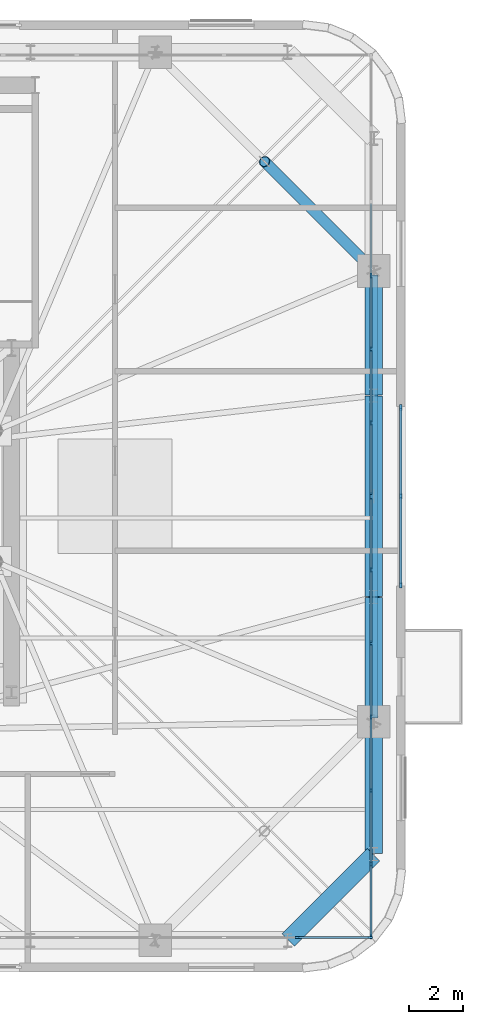
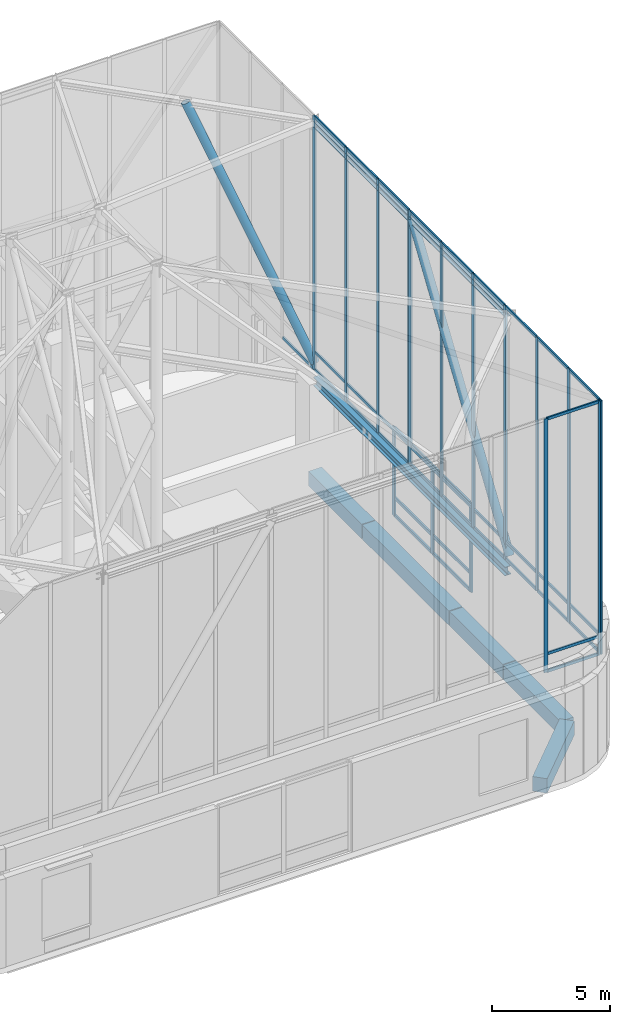
# One storey, part 6 of 15: 55 members, 7 beams, 4 elements without a shape of their own.
"""IFC4 building model written with IfcOpenShell, lengths in metres."""

import ifcopenshell
import ifcopenshell.guid

model = None  # the IFC model being written
_history = None  # IfcOwnerHistory: only IFC2X3 demands one
_inside = {}  # id of a spatial element -> (the spatial element, [elements in it])
_under = {}  # id of a project, library or spatial element -> (it, [spatial elements below it])
_declared = {}  # id of a project -> (the project, [libraries it declares])
_typed = {}  # id of a type object -> (the type object, [elements of that type])
_made_of = {}  # id of a material, layer set ... -> (it, [elements and type objects made of it])


def new_model(schema):
    """Start an empty IFC model of exactly this schema.

    Asked for "IFC4X3", IfcOpenShell would pick the latest addendum, in which some entities
    have other attributes; the version numbers below select the first issue.
    IFC2X3 requires an IfcOwnerHistory on every rooted entity: one is made here for all.
    """
    global model, _history
    if schema == "IFC4X3":
        model = ifcopenshell.file(schema_version=(4, 3, 0, 0))
    else:
        model = ifcopenshell.file(schema=schema)
    _inside.clear()
    _under.clear()
    _declared.clear()
    _typed.clear()
    _made_of.clear()
    _history = None
    if model.schema == "IFC2X3":
        org = make("IfcOrganization", Name="unknown")
        user = make(
            "IfcPersonAndOrganization",
            ThePerson=make("IfcPerson", FamilyName="unknown"),
            TheOrganization=org,
        )
        app = make(
            "IfcApplication",
            ApplicationDeveloper=org,
            Version="unknown",
            ApplicationFullName="unknown",
            ApplicationIdentifier="unknown",
        )
        _history = make(
            "IfcOwnerHistory",
            OwningUser=user,
            OwningApplication=app,
            ChangeAction="ADDED",
            CreationDate=0,
        )
    return model


def make(cls, **values):
    """One entity of the class cls with the attributes given. An attribute that is None is left unset."""
    return model.create_entity(
        cls, **{name: value for name, value in values.items() if value is not None}
    )


def rooted(cls, **values):
    """An entity with a GlobalId (a new one), such as an element, a storey or a relation."""
    return make(cls, GlobalId=ifcopenshell.guid.new(), OwnerHistory=_history, **values)


def si_unit(unit_type, name, prefix=None):
    """IfcSIUnit, for example si_unit("LENGTHUNIT", "METRE", prefix="MILLI")."""
    return make("IfcSIUnit", UnitType=unit_type, Prefix=prefix, Name=name)


def assignment(units):
    """IfcUnitAssignment: the units of a project."""
    return None if units is None else make("IfcUnitAssignment", Units=units)


def point(xyz):
    """IfcCartesianPoint."""
    return None if xyz is None else make("IfcCartesianPoint", Coordinates=xyz)


def direction(xyz):
    """IfcDirection."""
    return None if xyz is None else make("IfcDirection", DirectionRatios=xyz)


def frame(location, z_axis=None, x_axis=None):
    """IfcAxis2Placement3D, a coordinate frame: its origin and axes. An axis left out is left unset."""
    return make(
        "IfcAxis2Placement3D",
        Location=point(location),
        Axis=direction(z_axis),
        RefDirection=direction(x_axis),
    )


def frame_2d(location, x_axis=None):
    """IfcAxis2Placement2D, a coordinate frame in the plane: its origin and x axis."""
    return make(
        "IfcAxis2Placement2D", Location=point(location), RefDirection=direction(x_axis)
    )


def origin():
    """The frame at (0, 0, 0) with its axes left unset."""
    return frame((0.0, 0.0, 0.0))


def origin_2d():
    """The frame at (0, 0) in the plane with its x axis left unset."""
    return frame_2d((0.0, 0.0))


def place(relative_to, where):
    """IfcLocalPlacement: puts the frame where relative to a parent placement (None: the world)."""
    return make(
        "IfcLocalPlacement", PlacementRelTo=relative_to, RelativePlacement=where
    )


def context(
    kind, dimensions, precision=None, world=None, true_north=None, identifier=None
):
    """IfcGeometricRepresentationContext, for example the 3D "Model" context."""
    return make(
        "IfcGeometricRepresentationContext",
        ContextIdentifier=identifier,
        ContextType=kind,
        CoordinateSpaceDimension=dimensions,
        Precision=precision,
        WorldCoordinateSystem=world,
        TrueNorth=true_north,
    )


def subcontext(parent, identifier, kind, view, scale=None):
    """IfcGeometricRepresentationSubContext, for example "Body" below "Model"."""
    return make(
        "IfcGeometricRepresentationSubContext",
        ContextIdentifier=identifier,
        ContextType=kind,
        ParentContext=parent,
        TargetScale=scale,
        TargetView=view,
    )


def project(units=None, contexts=None):
    """IfcProject with its units and contexts."""
    return rooted(
        "IfcProject",
        Name="project",
        RepresentationContexts=contexts,
        UnitsInContext=assignment(units),
    )


def spatial(cls, under=None, at=None, **own):
    """A site, building, storey or space (cls), placed at a placement, below another one or the project."""
    s = rooted(cls, ObjectPlacement=at, **own)
    if under is not None:
        _under.setdefault(under.id(), (under, []))[1].append(s)
    return s


def profile(cls, at=None, kind="AREA", **sizes):
    """A parametric profile (cls). Its sizes go by their IFC names, for example OverallWidth=200.0."""
    return make(cls, ProfileType=kind, Position=at, **sizes)


def rectangle(**sizes):
    """IfcRectangleProfileDef."""
    return profile("IfcRectangleProfileDef", **sizes)


def hollow_circle(**sizes):
    """IfcCircleHollowProfileDef."""
    return profile("IfcCircleHollowProfileDef", **sizes)


def i_section(**sizes):
    """IfcIShapeProfileDef."""
    return profile("IfcIShapeProfileDef", **sizes)


def extrude(swept, where, along, depth):
    """IfcExtrudedAreaSolid: the profile swept, set in the frame where, extruded along a direction by depth."""
    return make(
        "IfcExtrudedAreaSolid",
        SweptArea=swept,
        Position=where,
        ExtrudedDirection=direction(along),
        Depth=depth,
    )


def shape(context_of_items, identifier, shape_type, items):
    """IfcShapeRepresentation: the items that make up one representation, for example the "Body"."""
    return make(
        "IfcShapeRepresentation",
        ContextOfItems=context_of_items,
        RepresentationIdentifier=identifier,
        RepresentationType=shape_type,
        Items=items,
    )


def source(mapping_origin, context_of_items, identifier, shape_type, items):
    """IfcRepresentationMap: a shape defined once, which mapped items show again and again."""
    return make(
        "IfcRepresentationMap",
        MappingOrigin=mapping_origin,
        MappedRepresentation=shape(context_of_items, identifier, shape_type, items),
    )


def transform(
    local_origin,
    x_axis=None,
    y_axis=None,
    z_axis=None,
    scale=None,
    scale2=None,
    scale3=None,
    uniform=True,
):
    """IfcCartesianTransformationOperator3D, or its non-uniform kind. x_axis, y_axis, z_axis: its Axis1, 2, 3."""
    if uniform:
        return make(
            "IfcCartesianTransformationOperator3D",
            Axis1=direction(x_axis),
            Axis2=direction(y_axis),
            LocalOrigin=point(local_origin),
            Scale=scale,
            Axis3=direction(z_axis),
        )
    return make(
        "IfcCartesianTransformationOperator3DnonUniform",
        Axis1=direction(x_axis),
        Axis2=direction(y_axis),
        LocalOrigin=point(local_origin),
        Scale=scale,
        Axis3=direction(z_axis),
        Scale2=scale2,
        Scale3=scale3,
    )


def mapped(mapping_source, mapping_target):
    """IfcMappedItem: shows the shape of a source again, moved by a transform."""
    return make(
        "IfcMappedItem", MappingSource=mapping_source, MappingTarget=mapping_target
    )


def material(Name=None, Category=None):
    """IfcMaterial."""
    return make("IfcMaterial", Name=Name, Category=Category)


def material_profile(
    of_material, cross_section, Name=None, Category=None, Priority=None
):
    """IfcMaterialProfile: a cross section and its material."""
    return make(
        "IfcMaterialProfile",
        Name=Name,
        Material=of_material,
        Profile=cross_section,
        Priority=Priority,
        Category=Category,
    )


def profile_set(profiles, Name=None, composite=None):
    """IfcMaterialProfileSet."""
    return make(
        "IfcMaterialProfileSet",
        Name=Name,
        MaterialProfiles=profiles,
        CompositeProfile=composite,
    )


def made_of(thing, what):
    """Note that an element or type object is made of a material, layer set ...; save() writes the relation."""
    if what is not None:
        _made_of.setdefault(what.id(), (what, []))[1].append(thing)
    return thing


def type_object(cls, material=None, **own):
    """A type object (cls), such as IfcWallType, which elements share."""
    return made_of(rooted(cls, **own), material)


def element(
    cls,
    number,
    at=None,
    inside=None,
    cuts=None,
    type_object=None,
    material=None,
    context=None,
    identifier="Body",
    shape_type=None,
    held_by="IfcProductDefinitionShape",
    body=None,
    shapes=None,
    **own,
):
    """One element of the class cls, such as IfcWall. Its Tag is "e" and its number.

    at: its placement. inside: the storey or other place that contains it. cuts: it is an
    opening in that element (IfcRelVoidsElement). A single representation is given by context,
    identifier, shape_type and body (its items); several are given by shapes. held_by: the class
    of the entity that holds the representations. save() writes the other relations.
    """
    e = rooted(cls, Tag="e%d" % number, ObjectPlacement=at, **own)
    if body is not None:
        shapes = [shape(context, identifier, shape_type, body)]
    if shapes is not None:
        e.Representation = make(held_by, Representations=shapes)
    if inside is not None:
        _inside.setdefault(inside.id(), (inside, []))[1].append(e)
    if cuts is not None:
        rooted(
            "IfcRelVoidsElement", RelatingBuildingElement=cuts, RelatedOpeningElement=e
        )
    if type_object is not None:
        _typed.setdefault(type_object.id(), (type_object, []))[1].append(e)
    return made_of(e, material)


def aggregate(whole, parts):
    """IfcRelAggregates: a whole, such as a stair, and the parts it consists of."""
    return rooted("IfcRelAggregates", RelatingObject=whole, RelatedObjects=parts)


def save(model, path):
    """Write the relations noted so far, then the file.

    IfcRelAggregates (storeys below a building ...), IfcRelContainedInSpatialStructure (elements
    in a storey), IfcRelDefinesByType, IfcRelAssociatesMaterial and IfcRelDeclares: one each for
    every whole, place, type object, material and project.
    """
    for whole, parts in _under.values():
        aggregate(whole, parts)
    for where, things in _inside.values():
        rooted(
            "IfcRelContainedInSpatialStructure",
            RelatedElements=things,
            RelatingStructure=where,
        )
    for kind, things in _typed.values():
        rooted("IfcRelDefinesByType", RelatedObjects=things, RelatingType=kind)
    for what, things in _made_of.values():
        rooted("IfcRelAssociatesMaterial", RelatedObjects=things, RelatingMaterial=what)
    for by, libraries in _declared.values():
        rooted("IfcRelDeclares", RelatingContext=by, RelatedDefinitions=libraries)
    model.write(path)


model = new_model("IFC4")

# Units and contexts
model_context = context("Model", 3, precision=1e-05, world=origin(), true_north=direction((0.0, 1.0)))
body_context = subcontext(model_context, "Body", "Model", "MODEL_VIEW")
ifc_project = project(units=[si_unit("LENGTHUNIT", "METRE"), si_unit("AREAUNIT", "SQUARE_METRE"), si_unit("VOLUMEUNIT", "CUBIC_METRE"), si_unit("PLANEANGLEUNIT", "RADIAN"), si_unit("MASSUNIT", "GRAM", prefix="KILO")], contexts=[model_context])

# Site, building, storey
site_placement = place(None, origin())
site = spatial("IfcSite", under=ifc_project, at=site_placement, CompositionType="ELEMENT")
building_placement = place(site_placement, origin())
building = spatial("IfcBuilding", under=site, at=building_placement, Name="Vardaveli Station Tower", CompositionType="ELEMENT")
storey_placement = place(building_placement, frame((0.0, 0.0, 301.14990234375)))
storey = spatial("IfcBuildingStorey", under=building, at=storey_placement, Name="L76", CompositionType="ELEMENT", Elevation=301.14990234375)

# Beams
ifc_material_1 = material(Name="Precast concrete C45/55", Category="concrete")
ifc_material_profile_1 = material_profile(ifc_material_1, rectangle(XDim=0.64990234375, YDim=0.75, at=origin_2d()), Name="LPB 650x750")
ifc_profile_set_1 = profile_set([ifc_material_profile_1], Name="Precast concrete C45/55")
beam_type_1 = type_object("IfcBeamType", Name="BM-LPB-750", PredefinedType="BEAM", material=ifc_profile_set_1)
shared_shape_1 = source(origin(), body_context, "Body", "SweptSolid", [
    extrude(rectangle(XDim=0.64990234375, YDim=0.75, at=origin_2d()), origin(), (0.0, 0.0, 1.0), 7.35986328125),
])
beam_1_placement = place(storey_placement, frame((59.81005859375, 21.52001953125, -0.6748046875), z_axis=(0.0, 1.0, 0.0), x_axis=(-1.0, 0.0, 0.0)))
element("IfcBeam", 1, at=beam_1_placement, inside=storey, type_object=beam_type_1, Name="RBM-L76-08", PredefinedType="BEAM", context=body_context, shape_type="MappedRepresentation", body=[
    mapped(shared_shape_1, transform((0.0, 0.0, 0.0), scale=1.0)),
])
shared_shape_2 = source(origin(), body_context, "Body", "SweptSolid", [
    extrude(rectangle(XDim=0.64990234375, YDim=0.75, at=origin_2d()), origin(), (0.0, 0.0, 1.0), 4.535888671875),
])
for number, where, z_axis, x_axis, name in (
    (2, (59.81005859375, 16.944091796875, -0.6748046875), (0.0, 1.0, 0.0), (-1.0, 0.0, 0.0), "RBM-L76-07"),
    (3, (59.81005859375, 28.919921875, -0.6748046875), (0.0, 1.0, 0.0), (-1.0, 0.0, 0.0), "RBM-L76-09"),
):
    element("IfcBeam", number, at=place(storey_placement, frame(where, z_axis=z_axis, x_axis=x_axis)), inside=storey, type_object=beam_type_1, Name=name, PredefinedType="BEAM", context=body_context, shape_type="MappedRepresentation", body=[
        mapped(shared_shape_2, transform((0.0, 0.0, 0.0), scale=1.0)),
    ])
shared_shape_3 = source(origin(), body_context, "Body", "SweptSolid", [
    extrude(rectangle(XDim=0.64990234375, YDim=0.75, at=origin_2d()), origin(), (0.0, 0.0, 1.0), 4.43896484375),
])
beam_2_placement = place(storey_placement, frame((56.6572265625, 8.904052734375, -0.6748046875), z_axis=(0.70707928068, 0.707134280624, 0.0), x_axis=(-0.707134280624, 0.70707928068, 0.0)))
element("IfcBeam", 4, at=beam_2_placement, inside=storey, type_object=beam_type_1, Name="RBM-L76-05", PredefinedType="BEAM", context=body_context, shape_type="MappedRepresentation", body=[
    mapped(shared_shape_3, transform((0.0, 0.0, 0.0), scale=1.0)),
])
shared_shape_4 = source(origin(), body_context, "Body", "SweptSolid", [
    extrude(rectangle(XDim=0.64990234375, YDim=0.75, at=origin_2d()), origin(), (0.0, 0.0, 1.0), 4.827392578125),
])
beam_3_placement = place(storey_placement, frame((59.81005859375, 12.076904296875, -0.6748046875), z_axis=(0.0, 1.0, 0.0), x_axis=(-1.0, 0.0, 0.0)))
element("IfcBeam", 5, at=beam_3_placement, inside=storey, type_object=beam_type_1, Name="RBM-L76-06", PredefinedType="BEAM", context=body_context, shape_type="MappedRepresentation", body=[
    mapped(shared_shape_4, transform((0.0, 0.0, 0.0), scale=1.0)),
])
ifc_material_2 = material(Name="Structural steel S355J2", Category="steel")
ifc_material_profile_2 = material_profile(ifc_material_2, i_section(OverallWidth=0.300048828125, OverallDepth=0.449951171875, WebThickness=0.013916015625, FlangeThickness=0.02587890625, FilletRadius=0.027099609375, at=origin_2d()), Name="HEB 450")
ifc_profile_set_2 = profile_set([ifc_material_profile_2], Name="Structural steel S355J2")
beam_type_2 = type_object("IfcBeamType", Name="BM-HEB450", PredefinedType="BEAM", material=ifc_profile_set_2)
shared_shape_5 = source(origin(), body_context, "Body", "SweptSolid", [
    extrude(i_section(OverallWidth=0.300048828125, OverallDepth=0.449951171875, WebThickness=0.013916015625, FlangeThickness=0.02587890625, FilletRadius=0.027099609375, at=origin_2d()), origin(), (0.0, 0.0, 1.0), 16.271484375),
])
beam_4_placement = place(storey_placement, frame((59.81005859375, 17.064208984375, 4.375), z_axis=(0.0, 1.0, 0.0), x_axis=(-1.0, 0.0, 0.0)))
element("IfcBeam", 6, at=beam_4_placement, inside=storey, type_object=beam_type_2, Name="CRB-BASE-03", PredefinedType="BEAM", context=body_context, shape_type="MappedRepresentation", body=[
    mapped(shared_shape_5, transform((0.0, 0.0, 0.0), scale=1.0)),
])

# Members
ifc_material_3 = material(Name="Structural steel S460M", Category="steel")
ifc_material_profile_3 = material_profile(ifc_material_3, hollow_circle(Radius=0.203125, WallThickness=0.02001953125, at=origin_2d()), Name="CHS 406.4x20")
ifc_profile_set_3 = profile_set([ifc_material_profile_3], Name="Structural steel S460M")
member_type_1 = type_object("IfcMemberType", Name="MEM-ST-CHS406", PredefinedType="STRUT", material=ifc_profile_set_3)
shared_shape_6 = source(origin(), body_context, "Body", "SweptSolid", [
    extrude(hollow_circle(Radius=0.203125, WallThickness=0.02001953125, at=origin_2d()), origin(), (0.0, 0.0, 1.0), 13.68505859375),
])
member_1_placement = place(storey_placement, frame((59.81005859375, 33.475830078125, 5.25), z_axis=(-0.293537937802, 0.293537937802, 0.909764232173), x_axis=(-0.707106781187, -0.707106781187, 0.0)))
element("IfcMember", 7, at=member_1_placement, inside=storey, type_object=member_type_1, Name="CRM-STR-04", PredefinedType="STRUT", context=body_context, shape_type="MappedRepresentation", body=[
    mapped(shared_shape_6, transform((0.0, 0.0, 0.0), scale=1.0)),
])
shared_shape_7 = source(origin(), body_context, "Body", "SweptSolid", [
    extrude(hollow_circle(Radius=0.203125, WallThickness=0.02001953125, at=origin_2d()), origin(), (0.0, 0.0, 1.0), 14.94970703125),
])
member_2_placement = place(storey_placement, frame((59.81005859375, 16.92431640625, 5.25), z_axis=(0.0, 0.553565317837, 0.832805763001), x_axis=(-1.0, 0.0, 0.0)))
element("IfcMember", 8, at=member_2_placement, inside=storey, type_object=member_type_1, Name="CRM-STR-03", PredefinedType="STRUT", context=body_context, shape_type="MappedRepresentation", body=[
    mapped(shared_shape_7, transform((0.0, 0.0, 0.0), scale=1.0)),
])

# Beam
ifc_material_profile_4 = material_profile(ifc_material_2, i_section(OverallWidth=0.300048828125, OverallDepth=0.300048828125, WebThickness=0.010986328125, FlangeThickness=0.01904296875, FilletRadius=0.027099609375, at=origin_2d()), Name="HEB 300")
ifc_profile_set_4 = profile_set([ifc_material_profile_4], Name="Structural steel S355J2")
beam_type_3 = type_object("IfcBeamType", Name="BM-HEB300", PredefinedType="BEAM", material=ifc_profile_set_4)
shared_shape_8 = source(origin(), body_context, "Body", "SweptSolid", [
    extrude(i_section(OverallWidth=0.300048828125, OverallDepth=0.300048828125, WebThickness=0.010986328125, FlangeThickness=0.01904296875, FilletRadius=0.027099609375, at=origin_2d()), origin(), (0.0, 0.0, 1.0), 16.271484375),
])
beam_5_placement = place(storey_placement, frame((59.81005859375, 17.064208984375, 17.7001953125), z_axis=(0.0, 1.0, 0.0), x_axis=(-1.0, 0.0, 0.0)))
element("IfcBeam", 9, at=beam_5_placement, inside=storey, type_object=beam_type_3, Name="CRB-EAVE-03", PredefinedType="BEAM", context=body_context, shape_type="MappedRepresentation", body=[
    mapped(shared_shape_8, transform((0.0, 0.0, 0.0), scale=1.0)),
])

# Curtain wall, members
ifc_material_4 = material(Name="Travertine stone and solar-control glass", Category="masonry")
curtain_wall_type_1 = type_object("IfcCurtainWallType", Name="CW-SYS-5", PredefinedType="NOTDEFINED", material=ifc_material_4)
curtain_wall_1_placement = place(storey_placement, origin())
curtain_wall_1 = element("IfcCurtainWall", 10, at=curtain_wall_1_placement, inside=storey, type_object=curtain_wall_type_1, Name="CW-L76-E", PredefinedType="NOTDEFINED")
ifc_material_5 = material(Name="Anodised aluminium alloy 6063-T6", Category="aluminium")
ifc_material_profile_5 = material_profile(ifc_material_5, rectangle(XDim=0.080078125, YDim=0.1650390625, at=origin_2d()), Name="CWT 80x165")
ifc_profile_set_5 = profile_set([ifc_material_profile_5], Name="Anodised aluminium alloy 6063-T6")
member_type_2 = type_object("IfcMemberType", Name="CW-SYS-5-TRAN", PredefinedType="NOTDEFINED", material=ifc_profile_set_5)
shared_shape_9 = source(origin(), body_context, "Body", "SweptSolid", [
    extrude(rectangle(XDim=0.080078125, YDim=0.1650390625, at=origin_2d()), origin(), (0.0, 0.0, 1.0), 3.179931640625),
])
member_3_placement = place(storey_placement, frame((60.800048828125, 21.97998046875, 0.0400390625), z_axis=(0.0, 1.0, 0.0), x_axis=(-1.0, 0.0, 0.0)))
member_3 = element("IfcMember", 11, at=member_3_placement, type_object=member_type_2, Name="CW-5 transom 1.1", ObjectType="TRANSOM", PredefinedType="USERDEFINED", context=body_context, shape_type="MappedRepresentation", body=[
    mapped(shared_shape_9, transform((0.0, 0.0, 0.0), scale=1.0)),
])
member_4_placement = place(storey_placement, frame((60.800048828125, 21.97998046875, 0.9501953125), z_axis=(0.0, 1.0, 0.0), x_axis=(-1.0, 0.0, 0.0)))
member_4 = element("IfcMember", 12, at=member_4_placement, type_object=member_type_2, Name="CW-5 transom 1.2", ObjectType="TRANSOM", PredefinedType="USERDEFINED", context=body_context, shape_type="MappedRepresentation", body=[
    mapped(shared_shape_9, transform((0.0, 0.0, 0.0), scale=1.0)),
])
member_5_placement = place(storey_placement, frame((60.800048828125, 21.97998046875, 4.56005859375), z_axis=(0.0, 1.0, 0.0), x_axis=(-1.0, 0.0, 0.0)))
member_5 = element("IfcMember", 13, at=member_5_placement, type_object=member_type_2, Name="CW-5 transom 1.3", ObjectType="TRANSOM", PredefinedType="USERDEFINED", context=body_context, shape_type="MappedRepresentation", body=[
    mapped(shared_shape_9, transform((0.0, 0.0, 0.0), scale=1.0)),
])
member_6_placement = place(storey_placement, frame((60.800048828125, 25.239990234375, 0.0400390625), z_axis=(0.0, 1.0, 0.0), x_axis=(-1.0, 0.0, 0.0)))
member_6 = element("IfcMember", 14, at=member_6_placement, type_object=member_type_2, Name="CW-5 transom 2.1", ObjectType="TRANSOM", PredefinedType="USERDEFINED", context=body_context, shape_type="MappedRepresentation", body=[
    mapped(shared_shape_9, transform((0.0, 0.0, 0.0), scale=1.0)),
])
member_7_placement = place(storey_placement, frame((60.800048828125, 25.239990234375, 0.9501953125), z_axis=(0.0, 1.0, 0.0), x_axis=(-1.0, 0.0, 0.0)))
member_7 = element("IfcMember", 15, at=member_7_placement, type_object=member_type_2, Name="CW-5 transom 2.2", ObjectType="TRANSOM", PredefinedType="USERDEFINED", context=body_context, shape_type="MappedRepresentation", body=[
    mapped(shared_shape_9, transform((0.0, 0.0, 0.0), scale=1.0)),
])
member_8_placement = place(storey_placement, frame((60.800048828125, 25.239990234375, 4.56005859375), z_axis=(0.0, 1.0, 0.0), x_axis=(-1.0, 0.0, 0.0)))
member_8 = element("IfcMember", 16, at=member_8_placement, type_object=member_type_2, Name="CW-5 transom 2.3", ObjectType="TRANSOM", PredefinedType="USERDEFINED", context=body_context, shape_type="MappedRepresentation", body=[
    mapped(shared_shape_9, transform((0.0, 0.0, 0.0), scale=1.0)),
])
ifc_material_profile_6 = material_profile(ifc_material_5, rectangle(XDim=0.080078125, YDim=0.205078125, at=origin_2d()), Name="CWM 80x205")
ifc_profile_set_6 = profile_set([ifc_material_profile_6], Name="Anodised aluminium alloy 6063-T6")
member_type_3 = type_object("IfcMemberType", Name="CW-SYS-5-MULL", PredefinedType="MULLION", material=ifc_profile_set_6)
shared_shape_10 = source(origin(), body_context, "Body", "SweptSolid", [
    extrude(rectangle(XDim=0.080078125, YDim=0.205078125, at=origin_2d()), origin(), (0.0, 0.0, 1.0), 4.60009765625),
])
member_9_placement = place(storey_placement, frame((60.800048828125, 21.93994140625, 0.0), z_axis=(0.0, 0.0, 1.0), x_axis=(-1.0, 0.0, 0.0)))
member_9 = element("IfcMember", 17, at=member_9_placement, type_object=member_type_3, Name="CW-5 mullion 1", PredefinedType="MULLION", context=body_context, shape_type="MappedRepresentation", body=[
    mapped(shared_shape_10, transform((0.0, 0.0, 0.0), scale=1.0)),
])
member_10_placement = place(storey_placement, frame((60.800048828125, 25.199951171875, 0.0), z_axis=(0.0, 0.0, 1.0), x_axis=(-1.0, 0.0, 0.0)))
member_10 = element("IfcMember", 18, at=member_10_placement, type_object=member_type_3, Name="CW-5 mullion 2", PredefinedType="MULLION", context=body_context, shape_type="MappedRepresentation", body=[
    mapped(shared_shape_10, transform((0.0, 0.0, 0.0), scale=1.0)),
])
member_11_placement = place(storey_placement, frame((60.800048828125, 28.4599609375, 0.0), z_axis=(0.0, 0.0, 1.0), x_axis=(-1.0, 0.0, 0.0)))
member_11 = element("IfcMember", 19, at=member_11_placement, type_object=member_type_3, Name="CW-5 mullion 3", PredefinedType="MULLION", context=body_context, shape_type="MappedRepresentation", body=[
    mapped(shared_shape_10, transform((0.0, 0.0, 0.0), scale=1.0)),
])
aggregate(curtain_wall_1, [member_9, member_10, member_11, member_3, member_4, member_5, member_6, member_7, member_8])

curtain_wall_type_2 = type_object("IfcCurtainWallType", Name="CW-SYS-6", PredefinedType="NOTDEFINED", material=ifc_material_4)
curtain_wall_2_placement = place(storey_placement, origin())
curtain_wall_2 = element("IfcCurtainWall", 20, at=curtain_wall_2_placement, inside=storey, type_object=curtain_wall_type_2, Name="CW-L76-CRN-S2", PredefinedType="NOTDEFINED")
ifc_material_profile_7 = material_profile(ifc_material_5, rectangle(XDim=0.074951171875, YDim=0.18994140625, at=origin_2d()), Name="CWM 75x190")
ifc_profile_set_7 = profile_set([ifc_material_profile_7], Name="Anodised aluminium alloy 6063-T6")
member_type_4 = type_object("IfcMemberType", Name="CW-SYS-6-MULL", PredefinedType="MULLION", material=ifc_profile_set_7)
shared_shape_11 = source(origin(), body_context, "Body", "SweptSolid", [
    extrude(rectangle(XDim=0.074951171875, YDim=0.18994140625, at=origin_2d()), origin(), (0.0, 0.0, 1.0), 13.150146484375),
])
member_12_placement = place(storey_placement, frame((57.0, 9.0, 5.0), z_axis=(0.0, 0.0, 1.0), x_axis=(0.0, 1.0, 0.0)))
member_12 = element("IfcMember", 21, at=member_12_placement, type_object=member_type_4, Name="CW-6 mullion 6", PredefinedType="MULLION", context=body_context, shape_type="MappedRepresentation", body=[
    mapped(shared_shape_11, transform((0.0, 0.0, 0.0), scale=1.0)),
])
member_13_placement = place(storey_placement, frame((59.66259765625, 9.0, 5.0), z_axis=(0.0, 0.0, 1.0), x_axis=(0.0, 1.0, 0.0)))
member_13 = element("IfcMember", 22, at=member_13_placement, type_object=member_type_4, Name="CW-6 mullion 7", PredefinedType="MULLION", context=body_context, shape_type="MappedRepresentation", body=[
    mapped(shared_shape_11, transform((0.0, 0.0, 0.0), scale=1.0)),
])

curtain_wall_3_placement = place(storey_placement, origin())
curtain_wall_3 = element("IfcCurtainWall", 23, at=curtain_wall_3_placement, inside=storey, type_object=curtain_wall_type_2, Name="CW-L76-CRN-E1", PredefinedType="NOTDEFINED")
member_14_placement = place(storey_placement, frame((59.699951171875, 9.03759765625, 5.0), z_axis=(0.0, 0.0, 1.0), x_axis=(-1.0, 0.0, 0.0)))
member_14 = element("IfcMember", 24, at=member_14_placement, type_object=member_type_4, Name="CW-6 mullion 1", PredefinedType="MULLION", context=body_context, shape_type="MappedRepresentation", body=[
    mapped(shared_shape_11, transform((0.0, 0.0, 0.0), scale=1.0)),
])
member_15_placement = place(storey_placement, frame((59.699951171875, 11.699951171875, 5.0), z_axis=(0.0, 0.0, 1.0), x_axis=(-1.0, 0.0, 0.0)))
member_15 = element("IfcMember", 25, at=member_15_placement, type_object=member_type_4, Name="CW-6 mullion 2", PredefinedType="MULLION", context=body_context, shape_type="MappedRepresentation", body=[
    mapped(shared_shape_11, transform((0.0, 0.0, 0.0), scale=1.0)),
])
member_16_placement = place(storey_placement, frame((59.699951171875, 14.39990234375, 5.0), z_axis=(0.0, 0.0, 1.0), x_axis=(-1.0, 0.0, 0.0)))
member_16 = element("IfcMember", 26, at=member_16_placement, type_object=member_type_4, Name="CW-6 mullion 3", PredefinedType="MULLION", context=body_context, shape_type="MappedRepresentation", body=[
    mapped(shared_shape_11, transform((0.0, 0.0, 0.0), scale=1.0)),
])
member_17_placement = place(storey_placement, frame((59.699951171875, 17.10009765625, 5.0), z_axis=(0.0, 0.0, 1.0), x_axis=(-1.0, 0.0, 0.0)))
member_17 = element("IfcMember", 27, at=member_17_placement, type_object=member_type_4, Name="CW-6 mullion 4", PredefinedType="MULLION", context=body_context, shape_type="MappedRepresentation", body=[
    mapped(shared_shape_11, transform((0.0, 0.0, 0.0), scale=1.0)),
])
member_18_placement = place(storey_placement, frame((59.699951171875, 19.800048828125, 5.0), z_axis=(0.0, 0.0, 1.0), x_axis=(-1.0, 0.0, 0.0)))
member_18 = element("IfcMember", 28, at=member_18_placement, type_object=member_type_4, Name="CW-6 mullion 5", PredefinedType="MULLION", context=body_context, shape_type="MappedRepresentation", body=[
    mapped(shared_shape_11, transform((0.0, 0.0, 0.0), scale=1.0)),
])
member_19_placement = place(storey_placement, frame((59.699951171875, 22.5, 5.0), z_axis=(0.0, 0.0, 1.0), x_axis=(-1.0, 0.0, 0.0)))
member_19 = element("IfcMember", 29, at=member_19_placement, type_object=member_type_4, Name="CW-6 mullion 6", PredefinedType="MULLION", context=body_context, shape_type="MappedRepresentation", body=[
    mapped(shared_shape_11, transform((0.0, 0.0, 0.0), scale=1.0)),
])
member_20_placement = place(storey_placement, frame((59.699951171875, 25.16259765625, 5.0), z_axis=(0.0, 0.0, 1.0), x_axis=(-1.0, 0.0, 0.0)))
member_20 = element("IfcMember", 30, at=member_20_placement, type_object=member_type_4, Name="CW-6 mullion 7", PredefinedType="MULLION", context=body_context, shape_type="MappedRepresentation", body=[
    mapped(shared_shape_11, transform((0.0, 0.0, 0.0), scale=1.0)),
])

curtain_wall_4_placement = place(storey_placement, origin())
curtain_wall_4 = element("IfcCurtainWall", 31, at=curtain_wall_4_placement, inside=storey, type_object=curtain_wall_type_2, Name="CW-L76-CRN-E2", PredefinedType="NOTDEFINED")
member_21_placement = place(storey_placement, frame((59.699951171875, 25.237548828125, 5.0), z_axis=(0.0, 0.0, 1.0), x_axis=(-1.0, 0.0, 0.0)))
member_21 = element("IfcMember", 32, at=member_21_placement, type_object=member_type_4, Name="CW-6 mullion 1", PredefinedType="MULLION", context=body_context, shape_type="MappedRepresentation", body=[
    mapped(shared_shape_11, transform((0.0, 0.0, 0.0), scale=1.0)),
])
member_22_placement = place(storey_placement, frame((59.699951171875, 27.89990234375, 5.0), z_axis=(0.0, 0.0, 1.0), x_axis=(-1.0, 0.0, 0.0)))
member_22 = element("IfcMember", 33, at=member_22_placement, type_object=member_type_4, Name="CW-6 mullion 2", PredefinedType="MULLION", context=body_context, shape_type="MappedRepresentation", body=[
    mapped(shared_shape_11, transform((0.0, 0.0, 0.0), scale=1.0)),
])
member_23_placement = place(storey_placement, frame((59.699951171875, 30.60009765625, 5.0), z_axis=(0.0, 0.0, 1.0), x_axis=(-1.0, 0.0, 0.0)))
member_23 = element("IfcMember", 34, at=member_23_placement, type_object=member_type_4, Name="CW-6 mullion 3", PredefinedType="MULLION", context=body_context, shape_type="MappedRepresentation", body=[
    mapped(shared_shape_11, transform((0.0, 0.0, 0.0), scale=1.0)),
])
member_24_placement = place(storey_placement, frame((59.699951171875, 33.300048828125, 5.0), z_axis=(0.0, 0.0, 1.0), x_axis=(-1.0, 0.0, 0.0)))
member_24 = element("IfcMember", 35, at=member_24_placement, type_object=member_type_4, Name="CW-6 mullion 4", PredefinedType="MULLION", context=body_context, shape_type="MappedRepresentation", body=[
    mapped(shared_shape_11, transform((0.0, 0.0, 0.0), scale=1.0)),
])

# Member
ifc_material_profile_8 = material_profile(ifc_material_5, rectangle(XDim=0.074951171875, YDim=0.14990234375, at=origin_2d()), Name="CWT 75x150")
ifc_profile_set_8 = profile_set([ifc_material_profile_8], Name="Anodised aluminium alloy 6063-T6")
member_type_5 = type_object("IfcMemberType", Name="CW-SYS-6-TRAN", PredefinedType="NOTDEFINED", material=ifc_profile_set_8)
shared_shape_12 = source(origin(), body_context, "Body", "SweptSolid", [
    extrude(rectangle(XDim=0.074951171875, YDim=0.14990234375, at=origin_2d()), origin(), (0.0, 0.0, 1.0), 2.58740234375),
])
member_25_placement = place(storey_placement, frame((57.03759765625, 9.0, 5.03759765625), z_axis=(1.0, 0.0, 0.0), x_axis=(0.0, 1.0, 0.0)))
member_25 = element("IfcMember", 36, at=member_25_placement, type_object=member_type_5, Name="CW-6 transom 6.1", ObjectType="TRANSOM", PredefinedType="USERDEFINED", context=body_context, shape_type="MappedRepresentation", body=[
    mapped(shared_shape_12, transform((0.0, 0.0, 0.0), scale=1.0)),
])

member_26_placement = place(storey_placement, frame((57.03759765625, 9.0, 5.9501953125), z_axis=(1.0, 0.0, 0.0), x_axis=(0.0, 1.0, 0.0)))
member_26 = element("IfcMember", 37, at=member_26_placement, type_object=member_type_5, Name="CW-6 transom 6.2", ObjectType="TRANSOM", PredefinedType="USERDEFINED", context=body_context, shape_type="MappedRepresentation", body=[
    mapped(shared_shape_12, transform((0.0, 0.0, 0.0), scale=1.0)),
])

member_27_placement = place(storey_placement, frame((57.03759765625, 9.0, 18.112548828125), z_axis=(1.0, 0.0, 0.0), x_axis=(0.0, 1.0, 0.0)))
member_27 = element("IfcMember", 38, at=member_27_placement, type_object=member_type_5, Name="CW-6 transom 6.3", ObjectType="TRANSOM", PredefinedType="USERDEFINED", context=body_context, shape_type="MappedRepresentation", body=[
    mapped(shared_shape_12, transform((0.0, 0.0, 0.0), scale=1.0)),
])

aggregate(curtain_wall_2, [member_12, member_13, member_25, member_26, member_27])

member_28_placement = place(storey_placement, frame((59.699951171875, 22.53759765625, 5.03759765625), z_axis=(0.0, 1.0, 0.0), x_axis=(-1.0, 0.0, 0.0)))
member_28 = element("IfcMember", 39, at=member_28_placement, type_object=member_type_5, Name="CW-6 transom 6.1", ObjectType="TRANSOM", PredefinedType="USERDEFINED", context=body_context, shape_type="MappedRepresentation", body=[
    mapped(shared_shape_12, transform((0.0, 0.0, 0.0), scale=1.0)),
])

member_29_placement = place(storey_placement, frame((59.699951171875, 22.53759765625, 5.9501953125), z_axis=(0.0, 1.0, 0.0), x_axis=(-1.0, 0.0, 0.0)))
member_29 = element("IfcMember", 40, at=member_29_placement, type_object=member_type_5, Name="CW-6 transom 6.2", ObjectType="TRANSOM", PredefinedType="USERDEFINED", context=body_context, shape_type="MappedRepresentation", body=[
    mapped(shared_shape_12, transform((0.0, 0.0, 0.0), scale=1.0)),
])

member_30_placement = place(storey_placement, frame((59.699951171875, 22.53759765625, 18.112548828125), z_axis=(0.0, 1.0, 0.0), x_axis=(-1.0, 0.0, 0.0)))
member_30 = element("IfcMember", 41, at=member_30_placement, type_object=member_type_5, Name="CW-6 transom 6.3", ObjectType="TRANSOM", PredefinedType="USERDEFINED", context=body_context, shape_type="MappedRepresentation", body=[
    mapped(shared_shape_12, transform((0.0, 0.0, 0.0), scale=1.0)),
])

shared_shape_13 = source(origin(), body_context, "Body", "SweptSolid", [
    extrude(rectangle(XDim=0.074951171875, YDim=0.14990234375, at=origin_2d()), origin(), (0.0, 0.0, 1.0), 2.625),
])
member_31_placement = place(storey_placement, frame((59.699951171875, 11.737548828125, 5.03759765625), z_axis=(0.0, 1.0, 0.0), x_axis=(-1.0, 0.0, 0.0)))
member_31 = element("IfcMember", 42, at=member_31_placement, type_object=member_type_5, Name="CW-6 transom 2.1", ObjectType="TRANSOM", PredefinedType="USERDEFINED", context=body_context, shape_type="MappedRepresentation", body=[
    mapped(shared_shape_13, transform((0.0, 0.0, 0.0), scale=1.0)),
])

member_32_placement = place(storey_placement, frame((59.699951171875, 11.737548828125, 5.9501953125), z_axis=(0.0, 1.0, 0.0), x_axis=(-1.0, 0.0, 0.0)))
member_32 = element("IfcMember", 43, at=member_32_placement, type_object=member_type_5, Name="CW-6 transom 2.2", ObjectType="TRANSOM", PredefinedType="USERDEFINED", context=body_context, shape_type="MappedRepresentation", body=[
    mapped(shared_shape_13, transform((0.0, 0.0, 0.0), scale=1.0)),
])

member_33_placement = place(storey_placement, frame((59.699951171875, 11.737548828125, 18.112548828125), z_axis=(0.0, 1.0, 0.0), x_axis=(-1.0, 0.0, 0.0)))
member_33 = element("IfcMember", 44, at=member_33_placement, type_object=member_type_5, Name="CW-6 transom 2.3", ObjectType="TRANSOM", PredefinedType="USERDEFINED", context=body_context, shape_type="MappedRepresentation", body=[
    mapped(shared_shape_13, transform((0.0, 0.0, 0.0), scale=1.0)),
])

member_34_placement = place(storey_placement, frame((59.699951171875, 14.4375, 5.03759765625), z_axis=(0.0, 1.0, 0.0), x_axis=(-1.0, 0.0, 0.0)))
member_34 = element("IfcMember", 45, at=member_34_placement, type_object=member_type_5, Name="CW-6 transom 3.1", ObjectType="TRANSOM", PredefinedType="USERDEFINED", context=body_context, shape_type="MappedRepresentation", body=[
    mapped(shared_shape_13, transform((0.0, 0.0, 0.0), scale=1.0)),
])

member_35_placement = place(storey_placement, frame((59.699951171875, 14.4375, 5.9501953125), z_axis=(0.0, 1.0, 0.0), x_axis=(-1.0, 0.0, 0.0)))
member_35 = element("IfcMember", 46, at=member_35_placement, type_object=member_type_5, Name="CW-6 transom 3.2", ObjectType="TRANSOM", PredefinedType="USERDEFINED", context=body_context, shape_type="MappedRepresentation", body=[
    mapped(shared_shape_13, transform((0.0, 0.0, 0.0), scale=1.0)),
])

member_36_placement = place(storey_placement, frame((59.699951171875, 14.4375, 18.112548828125), z_axis=(0.0, 1.0, 0.0), x_axis=(-1.0, 0.0, 0.0)))
member_36 = element("IfcMember", 47, at=member_36_placement, type_object=member_type_5, Name="CW-6 transom 3.3", ObjectType="TRANSOM", PredefinedType="USERDEFINED", context=body_context, shape_type="MappedRepresentation", body=[
    mapped(shared_shape_13, transform((0.0, 0.0, 0.0), scale=1.0)),
])

member_37_placement = place(storey_placement, frame((59.699951171875, 17.137451171875, 5.03759765625), z_axis=(0.0, 1.0, 0.0), x_axis=(-1.0, 0.0, 0.0)))
member_37 = element("IfcMember", 48, at=member_37_placement, type_object=member_type_5, Name="CW-6 transom 4.1", ObjectType="TRANSOM", PredefinedType="USERDEFINED", context=body_context, shape_type="MappedRepresentation", body=[
    mapped(shared_shape_13, transform((0.0, 0.0, 0.0), scale=1.0)),
])

member_38_placement = place(storey_placement, frame((59.699951171875, 17.137451171875, 5.9501953125), z_axis=(0.0, 1.0, 0.0), x_axis=(-1.0, 0.0, 0.0)))
member_38 = element("IfcMember", 49, at=member_38_placement, type_object=member_type_5, Name="CW-6 transom 4.2", ObjectType="TRANSOM", PredefinedType="USERDEFINED", context=body_context, shape_type="MappedRepresentation", body=[
    mapped(shared_shape_13, transform((0.0, 0.0, 0.0), scale=1.0)),
])

member_39_placement = place(storey_placement, frame((59.699951171875, 17.137451171875, 18.112548828125), z_axis=(0.0, 1.0, 0.0), x_axis=(-1.0, 0.0, 0.0)))
member_39 = element("IfcMember", 50, at=member_39_placement, type_object=member_type_5, Name="CW-6 transom 4.3", ObjectType="TRANSOM", PredefinedType="USERDEFINED", context=body_context, shape_type="MappedRepresentation", body=[
    mapped(shared_shape_13, transform((0.0, 0.0, 0.0), scale=1.0)),
])

member_40_placement = place(storey_placement, frame((59.699951171875, 19.83740234375, 5.03759765625), z_axis=(0.0, 1.0, 0.0), x_axis=(-1.0, 0.0, 0.0)))
member_40 = element("IfcMember", 51, at=member_40_placement, type_object=member_type_5, Name="CW-6 transom 5.1", ObjectType="TRANSOM", PredefinedType="USERDEFINED", context=body_context, shape_type="MappedRepresentation", body=[
    mapped(shared_shape_13, transform((0.0, 0.0, 0.0), scale=1.0)),
])

member_41_placement = place(storey_placement, frame((59.699951171875, 19.83740234375, 5.9501953125), z_axis=(0.0, 1.0, 0.0), x_axis=(-1.0, 0.0, 0.0)))
member_41 = element("IfcMember", 52, at=member_41_placement, type_object=member_type_5, Name="CW-6 transom 5.2", ObjectType="TRANSOM", PredefinedType="USERDEFINED", context=body_context, shape_type="MappedRepresentation", body=[
    mapped(shared_shape_13, transform((0.0, 0.0, 0.0), scale=1.0)),
])

member_42_placement = place(storey_placement, frame((59.699951171875, 19.83740234375, 18.112548828125), z_axis=(0.0, 1.0, 0.0), x_axis=(-1.0, 0.0, 0.0)))
member_42 = element("IfcMember", 53, at=member_42_placement, type_object=member_type_5, Name="CW-6 transom 5.3", ObjectType="TRANSOM", PredefinedType="USERDEFINED", context=body_context, shape_type="MappedRepresentation", body=[
    mapped(shared_shape_13, transform((0.0, 0.0, 0.0), scale=1.0)),
])

member_43_placement = place(storey_placement, frame((59.699951171875, 27.9375, 5.03759765625), z_axis=(0.0, 1.0, 0.0), x_axis=(-1.0, 0.0, 0.0)))
member_43 = element("IfcMember", 54, at=member_43_placement, type_object=member_type_5, Name="CW-6 transom 2.1", ObjectType="TRANSOM", PredefinedType="USERDEFINED", context=body_context, shape_type="MappedRepresentation", body=[
    mapped(shared_shape_13, transform((0.0, 0.0, 0.0), scale=1.0)),
])

member_44_placement = place(storey_placement, frame((59.699951171875, 27.9375, 5.9501953125), z_axis=(0.0, 1.0, 0.0), x_axis=(-1.0, 0.0, 0.0)))
member_44 = element("IfcMember", 55, at=member_44_placement, type_object=member_type_5, Name="CW-6 transom 2.2", ObjectType="TRANSOM", PredefinedType="USERDEFINED", context=body_context, shape_type="MappedRepresentation", body=[
    mapped(shared_shape_13, transform((0.0, 0.0, 0.0), scale=1.0)),
])

member_45_placement = place(storey_placement, frame((59.699951171875, 27.9375, 18.112548828125), z_axis=(0.0, 1.0, 0.0), x_axis=(-1.0, 0.0, 0.0)))
member_45 = element("IfcMember", 56, at=member_45_placement, type_object=member_type_5, Name="CW-6 transom 2.3", ObjectType="TRANSOM", PredefinedType="USERDEFINED", context=body_context, shape_type="MappedRepresentation", body=[
    mapped(shared_shape_13, transform((0.0, 0.0, 0.0), scale=1.0)),
])

member_46_placement = place(storey_placement, frame((59.699951171875, 30.637451171875, 5.03759765625), z_axis=(0.0, 1.0, 0.0), x_axis=(-1.0, 0.0, 0.0)))
member_46 = element("IfcMember", 57, at=member_46_placement, type_object=member_type_5, Name="CW-6 transom 3.1", ObjectType="TRANSOM", PredefinedType="USERDEFINED", context=body_context, shape_type="MappedRepresentation", body=[
    mapped(shared_shape_13, transform((0.0, 0.0, 0.0), scale=1.0)),
])

member_47_placement = place(storey_placement, frame((59.699951171875, 30.637451171875, 5.9501953125), z_axis=(0.0, 1.0, 0.0), x_axis=(-1.0, 0.0, 0.0)))
member_47 = element("IfcMember", 58, at=member_47_placement, type_object=member_type_5, Name="CW-6 transom 3.2", ObjectType="TRANSOM", PredefinedType="USERDEFINED", context=body_context, shape_type="MappedRepresentation", body=[
    mapped(shared_shape_13, transform((0.0, 0.0, 0.0), scale=1.0)),
])

member_48_placement = place(storey_placement, frame((59.699951171875, 30.637451171875, 18.112548828125), z_axis=(0.0, 1.0, 0.0), x_axis=(-1.0, 0.0, 0.0)))
member_48 = element("IfcMember", 59, at=member_48_placement, type_object=member_type_5, Name="CW-6 transom 3.3", ObjectType="TRANSOM", PredefinedType="USERDEFINED", context=body_context, shape_type="MappedRepresentation", body=[
    mapped(shared_shape_13, transform((0.0, 0.0, 0.0), scale=1.0)),
])

member_49_placement = place(storey_placement, frame((59.699951171875, 33.33740234375, 5.03759765625), z_axis=(0.0, 1.0, 0.0), x_axis=(-1.0, 0.0, 0.0)))
member_49 = element("IfcMember", 60, at=member_49_placement, type_object=member_type_5, Name="CW-6 transom 4.1", ObjectType="TRANSOM", PredefinedType="USERDEFINED", context=body_context, shape_type="MappedRepresentation", body=[
    mapped(shared_shape_13, transform((0.0, 0.0, 0.0), scale=1.0)),
])

shared_shape_14 = source(origin(), body_context, "Body", "SweptSolid", [
    extrude(rectangle(XDim=0.074951171875, YDim=0.14990234375, at=origin_2d()), origin(), (0.0, 0.0, 1.0), 2.587646484375),
])
member_50_placement = place(storey_placement, frame((59.699951171875, 9.074951171875, 5.03759765625), z_axis=(0.0, 1.0, 0.0), x_axis=(-1.0, 0.0, 0.0)))
member_50 = element("IfcMember", 61, at=member_50_placement, type_object=member_type_5, Name="CW-6 transom 1.1", ObjectType="TRANSOM", PredefinedType="USERDEFINED", context=body_context, shape_type="MappedRepresentation", body=[
    mapped(shared_shape_14, transform((0.0, 0.0, 0.0), scale=1.0)),
])

member_51_placement = place(storey_placement, frame((59.699951171875, 9.074951171875, 5.9501953125), z_axis=(0.0, 1.0, 0.0), x_axis=(-1.0, 0.0, 0.0)))
member_51 = element("IfcMember", 62, at=member_51_placement, type_object=member_type_5, Name="CW-6 transom 1.2", ObjectType="TRANSOM", PredefinedType="USERDEFINED", context=body_context, shape_type="MappedRepresentation", body=[
    mapped(shared_shape_14, transform((0.0, 0.0, 0.0), scale=1.0)),
])

member_52_placement = place(storey_placement, frame((59.699951171875, 9.074951171875, 18.112548828125), z_axis=(0.0, 1.0, 0.0), x_axis=(-1.0, 0.0, 0.0)))
member_52 = element("IfcMember", 63, at=member_52_placement, type_object=member_type_5, Name="CW-6 transom 1.3", ObjectType="TRANSOM", PredefinedType="USERDEFINED", context=body_context, shape_type="MappedRepresentation", body=[
    mapped(shared_shape_14, transform((0.0, 0.0, 0.0), scale=1.0)),
])

aggregate(curtain_wall_3, [member_14, member_15, member_16, member_17, member_18, member_19, member_20, member_50, member_51, member_52, member_31, member_32, member_33, member_34, member_35, member_36, member_37, member_38, member_39, member_40, member_41, member_42, member_28, member_29, member_30])

member_53_placement = place(storey_placement, frame((59.699951171875, 25.27490234375, 5.03759765625), z_axis=(0.0, 1.0, 0.0), x_axis=(-1.0, 0.0, 0.0)))
member_53 = element("IfcMember", 64, at=member_53_placement, type_object=member_type_5, Name="CW-6 transom 1.1", ObjectType="TRANSOM", PredefinedType="USERDEFINED", context=body_context, shape_type="MappedRepresentation", body=[
    mapped(shared_shape_14, transform((0.0, 0.0, 0.0), scale=1.0)),
])

member_54_placement = place(storey_placement, frame((59.699951171875, 25.27490234375, 5.9501953125), z_axis=(0.0, 1.0, 0.0), x_axis=(-1.0, 0.0, 0.0)))
member_54 = element("IfcMember", 65, at=member_54_placement, type_object=member_type_5, Name="CW-6 transom 1.2", ObjectType="TRANSOM", PredefinedType="USERDEFINED", context=body_context, shape_type="MappedRepresentation", body=[
    mapped(shared_shape_14, transform((0.0, 0.0, 0.0), scale=1.0)),
])

member_55_placement = place(storey_placement, frame((59.699951171875, 25.27490234375, 18.112548828125), z_axis=(0.0, 1.0, 0.0), x_axis=(-1.0, 0.0, 0.0)))
member_55 = element("IfcMember", 66, at=member_55_placement, type_object=member_type_5, Name="CW-6 transom 1.3", ObjectType="TRANSOM", PredefinedType="USERDEFINED", context=body_context, shape_type="MappedRepresentation", body=[
    mapped(shared_shape_14, transform((0.0, 0.0, 0.0), scale=1.0)),
])

aggregate(curtain_wall_4, [member_21, member_22, member_23, member_24, member_53, member_54, member_55, member_43, member_44, member_45, member_46, member_47, member_48, member_49])

save(model, "model.ifc")
